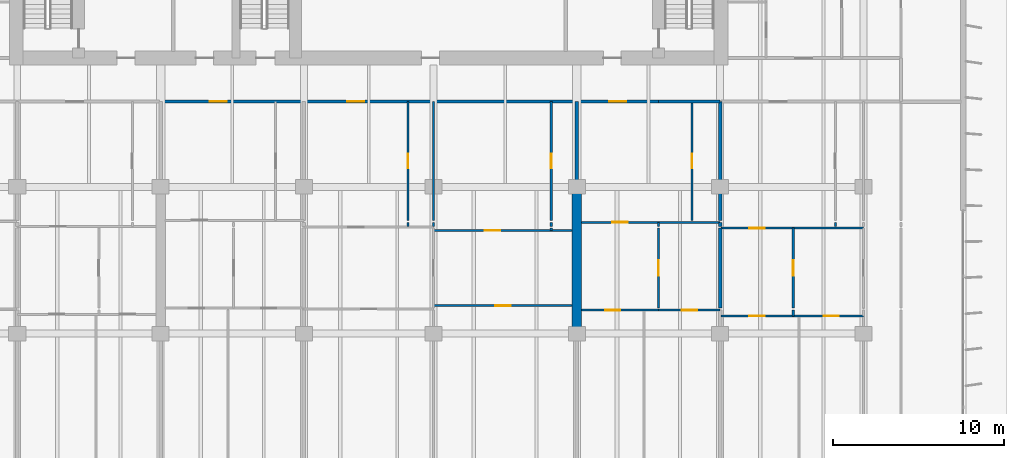
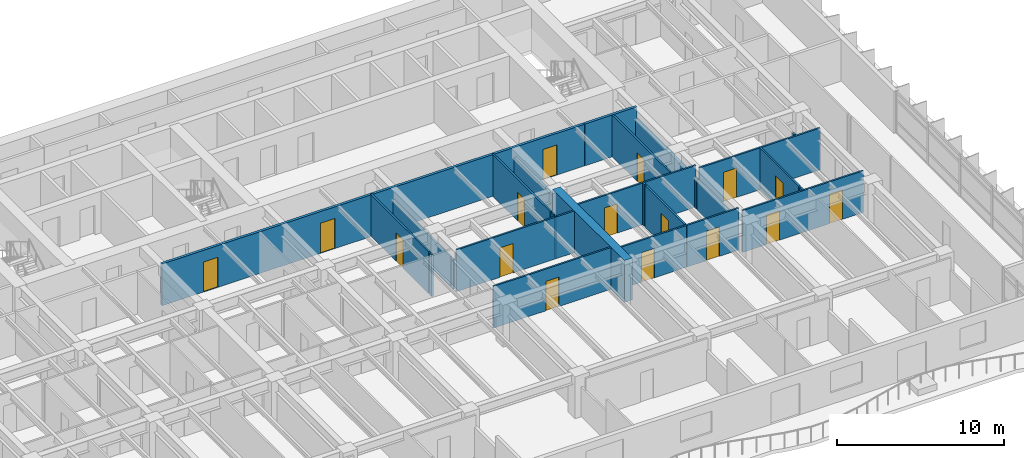
# One storey, part 9 of 17: 28 walls, 16 doors, 16 openings.
"""IFC4 building model written with IfcOpenShell, lengths in metres."""

from ifc_helpers import new_model, si_unit, direction, frame, frame_2d, origin, place, context, subcontext, project, spatial, rectangle, extrude, material, layer, layer_set, type_object, element, fill, save


model = new_model("IFC4")

# Units and contexts
model_context = context("Model", 3, precision=1e-05, world=origin(), true_north=direction((0.0, 1.0)))
body_context = subcontext(model_context, "Body", "Model", "MODEL_VIEW")
ifc_project = project(units=[si_unit("LENGTHUNIT", "METRE"), si_unit("AREAUNIT", "SQUARE_METRE"), si_unit("VOLUMEUNIT", "CUBIC_METRE"), si_unit("PLANEANGLEUNIT", "RADIAN"), si_unit("MASSUNIT", "GRAM", prefix="KILO")], contexts=[model_context])

# Site, building, storey
site_placement = place(None, origin())
site = spatial("IfcSite", under=ifc_project, at=site_placement, CompositionType="ELEMENT")
building_placement = place(site_placement, origin())
building = spatial("IfcBuilding", under=site, at=building_placement, Name="Caelmar Bay Residences", CompositionType="ELEMENT")
storey_placement = place(building_placement, frame((0.0, 0.0, 84.60009765625)))
storey = spatial("IfcBuildingStorey", under=building, at=storey_placement, Name="L22", CompositionType="ELEMENT", Elevation=84.60009765625)

# Wall
ifc_material_1 = material(Name="Concrete f'c 70 MPa (10,000 psi)", Category="concrete")
ifc_layer_1 = layer(ifc_material_1, 0.550048828125)
ifc_layer_set_1 = layer_set([ifc_layer_1], Name="Concrete f'c 70 MPa (10,000 psi)")
wall_type_1 = type_object("IfcWallType", Name="SW-XSLB-550", PredefinedType="SHEAR", material=ifc_layer_set_1)
wall_1_placement = place(storey_placement, frame((51.10009765625, 20.800048828125, 0.0), z_axis=(0.0, 0.0, 1.0), x_axis=(0.0, 1.0, 0.0)))
element("IfcWall", 1, at=wall_1_placement, inside=storey, type_object=wall_type_1, Name="L22 Transverse Cross-Slab Shear Wall E8", PredefinedType="SHEAR", context=body_context, shape_type="SweptSolid", body=[
    extrude(rectangle(XDim=8.599853515625, YDim=0.550048828125, at=frame_2d((4.2998046875, 0.0))), origin(), (0.0, 0.0, 1.0), 3.0498046875),
])

# Wall, openings, doors
ifc_material_2 = material(Name="Double-stud acoustic fire-rated gypsum partition 180 mm")
ifc_layer_2 = layer(ifc_material_2, 0.179931640625)
ifc_layer_set_2 = layer_set([ifc_layer_2], Name="Double-stud acoustic fire-rated gypsum partition 180 mm")
wall_type_2 = type_object("IfcWallType", Name="W-COR-200", PredefinedType="PARTITIONING", material=ifc_layer_set_2)
wall_2_placement = place(storey_placement, frame((26.699951171875, 34.39990234375, 0.0), z_axis=(0.0, 0.0, 1.0), x_axis=(1.0, 0.0, 0.0)))
wall_2 = element("IfcWall", 2, at=wall_2_placement, inside=storey, type_object=wall_type_2, Name="L22 Partition Wall H132", PredefinedType="PARTITIONING", context=body_context, shape_type="SweptSolid", body=[
    extrude(rectangle(XDim=29.18603515625, YDim=0.179931640625, at=frame_2d((14.593017578125, 0.0))), origin(), (0.0, 0.0, 1.0), 3.0498046875),
])
opening_1_placement = place(wall_2_placement, frame((2.875, 0.0, 0.0)))
opening_1 = element("IfcOpeningElement", 3, at=opening_1_placement, cuts=wall_2, Name="Opening D-L22-138", PredefinedType="OPENING", context=body_context, shape_type="SweptSolid", body=[
    extrude(rectangle(XDim=1.0, YDim=2.199951171875, at=frame_2d((0.5, 1.10009765625))), frame((0.0, 0.099853515625, 0.0), z_axis=(0.0, -1.0, 0.0), x_axis=(1.0, 0.0, 0.0)), (0.0, 0.0, 1.0), 0.199951171875),
])
opening_2_placement = place(wall_2_placement, frame((10.949951171875, 0.0, 0.0)))
opening_2 = element("IfcOpeningElement", 4, at=opening_2_placement, cuts=wall_2, Name="Opening D-L22-145", PredefinedType="OPENING", context=body_context, shape_type="SweptSolid", body=[
    extrude(rectangle(XDim=1.0, YDim=2.199951171875, at=frame_2d((0.5, 1.10009765625))), frame((0.0, 0.099853515625, 0.0), z_axis=(0.0, -1.0, 0.0), x_axis=(1.0, 0.0, 0.0)), (0.0, 0.0, 1.0), 0.199951171875),
])
opening_3_placement = place(wall_2_placement, frame((26.29296875, 0.0, 0.0)))
opening_3 = element("IfcOpeningElement", 5, at=opening_3_placement, cuts=wall_2, Name="Opening D-L22-154", PredefinedType="OPENING", context=body_context, shape_type="SweptSolid", body=[
    extrude(rectangle(XDim=1.0, YDim=2.199951171875, at=frame_2d((0.5, 1.10009765625))), frame((0.0, 0.099853515625, 0.0), z_axis=(0.0, -1.0, 0.0), x_axis=(1.0, 0.0, 0.0)), (0.0, 0.0, 1.0), 0.199951171875),
])
ifc_material_3 = material(Name="Fire-rated steel and walnut architectural door assembly", Category="steel")
ifc_layer_3 = layer(ifc_material_3, 0.050048828125)
ifc_layer_set_3 = layer_set([ifc_layer_3], Name="Fire-rated steel and walnut architectural door assembly")
door_type_1 = type_object("IfcDoorType", Name="D-UNIT-1000", OperationType="NOTDEFINED", PredefinedType="DOOR", material=ifc_layer_set_3)
door_1_placement = place(opening_1_placement, origin())
door_1 = element("IfcDoor", 6, at=door_1_placement, inside=storey, type_object=door_type_1, Name="L22 Residence 03 Apartment Hall Door", OperationType="SINGLE_SWING_LEFT", OverallHeight=2.199951171875, OverallWidth=1.0, PredefinedType="DOOR", context=body_context, shape_type="SweptSolid", body=[
    extrude(rectangle(XDim=1.0, YDim=2.199951171875, at=frame_2d((0.5, 1.10009765625))), frame((0.0, 0.02490234375, 0.0), z_axis=(0.0, -1.0, 0.0), x_axis=(1.0, 0.0, 0.0)), (0.0, 0.0, 1.0), 0.050048828125),
])
fill(opening_1, door_1)
door_2_placement = place(opening_2_placement, origin())
door_2 = element("IfcDoor", 7, at=door_2_placement, inside=storey, type_object=door_type_1, Name="L22 Residence 04 Apartment Hall Door", OperationType="SINGLE_SWING_RIGHT", OverallHeight=2.199951171875, OverallWidth=1.0, PredefinedType="DOOR", context=body_context, shape_type="SweptSolid", body=[
    extrude(rectangle(XDim=1.0, YDim=2.199951171875, at=frame_2d((0.5, 1.10009765625))), frame((0.0, 0.02490234375, 0.0), z_axis=(0.0, -1.0, 0.0), x_axis=(1.0, 0.0, 0.0)), (0.0, 0.0, 1.0), 0.050048828125),
])
fill(opening_2, door_2)
door_3_placement = place(opening_3_placement, origin())
door_3 = element("IfcDoor", 8, at=door_3_placement, inside=storey, type_object=door_type_1, Name="L22 Residence 05 Apartment Hall Door", OperationType="SINGLE_SWING_LEFT", OverallHeight=2.199951171875, OverallWidth=1.0, PredefinedType="DOOR", context=body_context, shape_type="SweptSolid", body=[
    extrude(rectangle(XDim=1.0, YDim=2.199951171875, at=frame_2d((0.5, 1.10009765625))), frame((0.0, 0.02490234375, 0.0), z_axis=(0.0, -1.0, 0.0), x_axis=(1.0, 0.0, 0.0)), (0.0, 0.0, 1.0), 0.050048828125),
])
fill(opening_3, door_3)

# Walls
wall_3_placement = place(storey_placement, frame((55.89990234375, 34.39990234375, 0.0), z_axis=(0.0, 0.0, 1.0), x_axis=(1.0, 0.0, 0.0)))
element("IfcWall", 9, at=wall_3_placement, inside=storey, type_object=wall_type_2, Name="L22 Partition Wall H133", PredefinedType="PARTITIONING", context=body_context, shape_type="SweptSolid", body=[
    extrude(rectangle(XDim=3.60009765625, YDim=0.179931640625, at=frame_2d((1.800048828125, 0.0))), origin(), (0.0, 0.0, 1.0), 3.0498046875),
])
ifc_material_4 = material(Name="Acoustic metal-stud gypsum partition 120 mm")
ifc_layer_4 = layer(ifc_material_4, 0.1201171875)
ifc_layer_set_4 = layer_set([ifc_layer_4], Name="Acoustic metal-stud gypsum partition 120 mm")
wall_type_3 = type_object("IfcWallType", Name="W-PRT-120", PredefinedType="PARTITIONING", material=ifc_layer_set_4)
wall_4_placement = place(storey_placement, frame((41.199951171875, 27.080078125, 0.0), z_axis=(0.0, 0.0, 1.0), x_axis=(0.0, 1.0, 0.0)))
element("IfcWall", 10, at=wall_4_placement, inside=storey, type_object=wall_type_3, Name="L22 Partition Wall V053", PredefinedType="PARTITIONING", context=body_context, shape_type="SweptSolid", body=[
    extrude(rectangle(XDim=0.239990234375, YDim=0.1201171875, at=frame_2d((0.1201171875, 0.0))), origin(), (0.0, 0.0, 1.0), 3.0498046875),
])

# Wall, opening, door
wall_5_placement = place(storey_placement, frame((41.199951171875, 27.43994140625, 0.0), z_axis=(0.0, 0.0, 1.0), x_axis=(0.0, 1.0, 0.0)))
wall_5 = element("IfcWall", 11, at=wall_5_placement, inside=storey, type_object=wall_type_3, Name="L22 Partition Wall V054", PredefinedType="PARTITIONING", context=body_context, shape_type="SweptSolid", body=[
    extrude(rectangle(XDim=6.9599609375, YDim=0.1201171875, at=frame_2d((3.47998046875, 0.0))), origin(), (0.0, 0.0, 1.0), 3.0498046875),
])
opening_4_placement = place(wall_5_placement, frame((3.054931640625, 0.0, 0.0)))
opening_4 = element("IfcOpeningElement", 12, at=opening_4_placement, cuts=wall_5, Name="Opening D-L22-146", PredefinedType="OPENING", context=body_context, shape_type="SweptSolid", body=[
    extrude(rectangle(XDim=0.85009765625, YDim=2.10009765625, at=frame_2d((0.425048828125, 1.050048828125))), frame((0.0, 0.070068359375, 0.0), z_axis=(0.0, -1.0, 0.0), x_axis=(1.0, 0.0, 0.0)), (0.0, 0.0, 1.0), 0.14013671875),
])
ifc_material_5 = material(Name="Solid walnut timber interior door leaf and frame", Category="wood")
ifc_layer_5 = layer(ifc_material_5, 0.050048828125)
ifc_layer_set_5 = layer_set([ifc_layer_5], Name="Solid walnut timber interior door leaf and frame")
door_type_2 = type_object("IfcDoorType", Name="D-BATH-850", OperationType="NOTDEFINED", PredefinedType="DOOR", material=ifc_layer_set_5)
door_4_placement = place(opening_4_placement, origin())
door_4 = element("IfcDoor", 13, at=door_4_placement, inside=storey, type_object=door_type_2, Name="L22 Residence 04 Guest Bathroom Door", OperationType="SINGLE_SWING_LEFT", OverallHeight=2.10009765625, OverallWidth=0.85009765625, PredefinedType="DOOR", context=body_context, shape_type="SweptSolid", body=[
    extrude(rectangle(XDim=0.85009765625, YDim=2.10009765625, at=frame_2d((0.425048828125, 1.050048828125))), frame((0.0, 0.02490234375, 0.0), z_axis=(0.0, -1.0, 0.0), x_axis=(1.0, 0.0, 0.0)), (0.0, 0.0, 1.0), 0.050048828125),
])
fill(opening_4, door_4)

# Walls
wall_6_placement = place(storey_placement, frame((42.699951171875, 27.080078125, 0.0), z_axis=(0.0, 0.0, 1.0), x_axis=(0.0, 1.0, 0.0)))
element("IfcWall", 14, at=wall_6_placement, inside=storey, type_object=wall_type_3, Name="L22 Partition Wall V058", PredefinedType="PARTITIONING", context=body_context, shape_type="SweptSolid", body=[
    extrude(rectangle(XDim=0.239990234375, YDim=0.1201171875, at=frame_2d((0.1201171875, 0.0))), origin(), (0.0, 0.0, 1.0), 2.173828125),
])
wall_7_placement = place(storey_placement, frame((42.699951171875, 27.43994140625, 0.0), z_axis=(0.0, 0.0, 1.0), x_axis=(0.0, 1.0, 0.0)))
element("IfcWall", 15, at=wall_7_placement, inside=storey, type_object=wall_type_3, Name="L22 Partition Wall V059", PredefinedType="PARTITIONING", context=body_context, shape_type="SweptSolid", body=[
    extrude(rectangle(XDim=6.9599609375, YDim=0.1201171875, at=frame_2d((3.47998046875, 0.0))), origin(), (0.0, 0.0, 1.0), 2.173828125),
])
wall_8_placement = place(storey_placement, frame((49.60009765625, 26.840087890625, 0.0), z_axis=(0.0, 0.0, 1.0), x_axis=(0.0, 1.0, 0.0)))
element("IfcWall", 16, at=wall_8_placement, inside=storey, type_object=wall_type_3, Name="L22 Partition Wall V064", PredefinedType="PARTITIONING", context=body_context, shape_type="SweptSolid", body=[
    extrude(rectangle(XDim=0.139892578125, YDim=0.1201171875, at=frame_2d((0.06982421875, 0.0))), origin(), (0.0, 0.0, 1.0), 3.0498046875),
])
wall_9_placement = place(storey_placement, frame((49.60009765625, 27.080078125, 0.0), z_axis=(0.0, 0.0, 1.0), x_axis=(0.0, 1.0, 0.0)))
element("IfcWall", 17, at=wall_9_placement, inside=storey, type_object=wall_type_3, Name="L22 Partition Wall V065", PredefinedType="PARTITIONING", context=body_context, shape_type="SweptSolid", body=[
    extrude(rectangle(XDim=0.239990234375, YDim=0.1201171875, at=frame_2d((0.1201171875, 0.0))), origin(), (0.0, 0.0, 1.0), 3.0498046875),
])

# Wall, opening, door
wall_10_placement = place(storey_placement, frame((49.60009765625, 27.43994140625, 0.0), z_axis=(0.0, 0.0, 1.0), x_axis=(0.0, 1.0, 0.0)))
wall_10 = element("IfcWall", 18, at=wall_10_placement, inside=storey, type_object=wall_type_3, Name="L22 Partition Wall V066", PredefinedType="PARTITIONING", context=body_context, shape_type="SweptSolid", body=[
    extrude(rectangle(XDim=6.9599609375, YDim=0.1201171875, at=frame_2d((3.47998046875, 0.0))), origin(), (0.0, 0.0, 1.0), 3.0498046875),
])
opening_5_placement = place(wall_10_placement, frame((3.054931640625, 0.0, 0.0)))
opening_5 = element("IfcOpeningElement", 19, at=opening_5_placement, cuts=wall_10, Name="Opening D-L22-151", PredefinedType="OPENING", context=body_context, shape_type="SweptSolid", body=[
    extrude(rectangle(XDim=0.85009765625, YDim=2.10009765625, at=frame_2d((0.425048828125, 1.050048828125))), frame((0.0, 0.070068359375, 0.0), z_axis=(0.0, -1.0, 0.0), x_axis=(1.0, 0.0, 0.0)), (0.0, 0.0, 1.0), 0.14013671875),
])
door_5_placement = place(opening_5_placement, origin())
door_5 = element("IfcDoor", 20, at=door_5_placement, inside=storey, type_object=door_type_2, Name="L22 Residence 04 En-Suite Bathroom 1 Door", OperationType="SINGLE_SWING_RIGHT", OverallHeight=2.10009765625, OverallWidth=0.85009765625, PredefinedType="DOOR", context=body_context, shape_type="SweptSolid", body=[
    extrude(rectangle(XDim=0.85009765625, YDim=2.10009765625, at=frame_2d((0.425048828125, 1.050048828125))), frame((0.0, 0.02490234375, 0.0), z_axis=(0.0, -1.0, 0.0), x_axis=(1.0, 0.0, 0.0)), (0.0, 0.0, 1.0), 0.050048828125),
])
fill(opening_5, door_5)

wall_11_placement = place(storey_placement, frame((55.885986328125, 22.2900390625, 0.0), z_axis=(0.0, 0.0, 1.0), x_axis=(0.0, 1.0, 0.0)))
wall_11 = element("IfcWall", 21, at=wall_11_placement, inside=storey, type_object=wall_type_3, Name="L22 Partition Wall V076", PredefinedType="PARTITIONING", context=body_context, shape_type="SweptSolid", body=[
    extrude(rectangle(XDim=4.68994140625, YDim=0.1201171875, at=frame_2d((2.344970703125, 0.0))), origin(), (0.0, 0.0, 1.0), 3.0498046875),
])
opening_6_placement = place(wall_11_placement, frame((1.89501953125, 0.0, 0.0)))
opening_6 = element("IfcOpeningElement", 22, at=opening_6_placement, cuts=wall_11, Name="Opening D-L22-157", PredefinedType="OPENING", context=body_context, shape_type="SweptSolid", body=[
    extrude(rectangle(XDim=0.89990234375, YDim=2.14990234375, at=frame_2d((0.449951171875, 1.074951171875))), frame((0.0, 0.070068359375, 0.0), z_axis=(0.0, -1.0, 0.0), x_axis=(1.0, 0.0, 0.0)), (0.0, 0.0, 1.0), 0.14013671875),
])
ifc_layer_6 = layer(ifc_material_5, 0.050048828125)
ifc_layer_set_6 = layer_set([ifc_layer_6], Name="Solid walnut timber interior door leaf and frame")
door_type_3 = type_object("IfcDoorType", Name="D-ROOM-900", OperationType="NOTDEFINED", PredefinedType="DOOR", material=ifc_layer_set_6)
door_6_placement = place(opening_6_placement, origin())
door_6 = element("IfcDoor", 23, at=door_6_placement, inside=storey, type_object=door_type_3, Name="L22 Residence 05 Study Door", OperationType="SINGLE_SWING_RIGHT", OverallHeight=2.14990234375, OverallWidth=0.89990234375, PredefinedType="DOOR", context=body_context, shape_type="SweptSolid", body=[
    extrude(rectangle(XDim=0.89990234375, YDim=2.14990234375, at=frame_2d((0.449951171875, 1.074951171875))), frame((0.0, 0.02490234375, 0.0), z_axis=(0.0, -1.0, 0.0), x_axis=(1.0, 0.0, 0.0)), (0.0, 0.0, 1.0), 0.050048828125),
])
fill(opening_6, door_6)

# Wall
wall_12_placement = place(storey_placement, frame((55.885986328125, 27.080078125, 0.0), z_axis=(0.0, 0.0, 1.0), x_axis=(0.0, 1.0, 0.0)))
element("IfcWall", 24, at=wall_12_placement, inside=storey, type_object=wall_type_3, Name="L22 Partition Wall V077", PredefinedType="PARTITIONING", context=body_context, shape_type="SweptSolid", body=[
    extrude(rectangle(XDim=0.239990234375, YDim=0.1201171875, at=frame_2d((0.1201171875, 0.0))), origin(), (0.0, 0.0, 1.0), 3.0498046875),
])

# Wall, opening, door
wall_13_placement = place(storey_placement, frame((57.85009765625, 27.43994140625, 0.0), z_axis=(0.0, 0.0, 1.0), x_axis=(0.0, 1.0, 0.0)))
wall_13 = element("IfcWall", 25, at=wall_13_placement, inside=storey, type_object=wall_type_3, Name="L22 Partition Wall V079", PredefinedType="PARTITIONING", context=body_context, shape_type="SweptSolid", body=[
    extrude(rectangle(XDim=6.9599609375, YDim=0.1201171875, at=frame_2d((3.47998046875, 0.0))), origin(), (0.0, 0.0, 1.0), 3.0498046875),
])
opening_7_placement = place(wall_13_placement, frame((3.054931640625, 0.0, 0.0)))
opening_7 = element("IfcOpeningElement", 26, at=opening_7_placement, cuts=wall_13, Name="Opening D-L22-155", PredefinedType="OPENING", context=body_context, shape_type="SweptSolid", body=[
    extrude(rectangle(XDim=0.85009765625, YDim=2.10009765625, at=frame_2d((0.425048828125, 1.050048828125))), frame((0.0, 0.070068359375, 0.0), z_axis=(0.0, -1.0, 0.0), x_axis=(1.0, 0.0, 0.0)), (0.0, 0.0, 1.0), 0.14013671875),
])
door_7_placement = place(opening_7_placement, origin())
door_7 = element("IfcDoor", 27, at=door_7_placement, inside=storey, type_object=door_type_2, Name="L22 Residence 05 Bathroom Door", OperationType="SINGLE_SWING_RIGHT", OverallHeight=2.10009765625, OverallWidth=0.85009765625, PredefinedType="DOOR", context=body_context, shape_type="SweptSolid", body=[
    extrude(rectangle(XDim=0.85009765625, YDim=2.10009765625, at=frame_2d((0.425048828125, 1.050048828125))), frame((0.0, 0.02490234375, 0.0), z_axis=(0.0, -1.0, 0.0), x_axis=(1.0, 0.0, 0.0)), (0.0, 0.0, 1.0), 0.050048828125),
])
fill(opening_7, door_7)

# Wall
wall_14_placement = place(storey_placement, frame((63.785888671875, 21.830078125, 0.0), z_axis=(0.0, 0.0, 1.0), x_axis=(0.0, 1.0, 0.0)))
element("IfcWall", 28, at=wall_14_placement, inside=storey, type_object=wall_type_3, Name="L22 Partition Wall V086", PredefinedType="PARTITIONING", context=body_context, shape_type="SweptSolid", body=[
    extrude(rectangle(XDim=0.33984375, YDim=0.1201171875, at=frame_2d((0.169921875, 0.0))), origin(), (0.0, 0.0, 1.0), 3.0498046875),
])

# Wall, opening, door
wall_15_placement = place(storey_placement, frame((63.785888671875, 22.2900390625, 0.0), z_axis=(0.0, 0.0, 1.0), x_axis=(0.0, 1.0, 0.0)))
wall_15 = element("IfcWall", 29, at=wall_15_placement, inside=storey, type_object=wall_type_3, Name="L22 Partition Wall V087", PredefinedType="PARTITIONING", context=body_context, shape_type="SweptSolid", body=[
    extrude(rectangle(XDim=4.68994140625, YDim=0.1201171875, at=frame_2d((2.344970703125, 0.0))), origin(), (0.0, 0.0, 1.0), 3.0498046875),
])
opening_8_placement = place(wall_15_placement, frame((1.89501953125, 0.0, 0.0)))
opening_8 = element("IfcOpeningElement", 30, at=opening_8_placement, cuts=wall_15, Name="Opening D-L22-164", PredefinedType="OPENING", context=body_context, shape_type="SweptSolid", body=[
    extrude(rectangle(XDim=0.89990234375, YDim=2.14990234375, at=frame_2d((0.449951171875, 1.074951171875))), frame((0.0, 0.070068359375, 0.0), z_axis=(0.0, -1.0, 0.0), x_axis=(1.0, 0.0, 0.0)), (0.0, 0.0, 1.0), 0.14013671875),
])
door_8_placement = place(opening_8_placement, origin())
door_8 = element("IfcDoor", 31, at=door_8_placement, inside=storey, type_object=door_type_3, Name="L22 Residence 06 Study Door", OperationType="SINGLE_SWING_LEFT", OverallHeight=2.14990234375, OverallWidth=0.89990234375, PredefinedType="DOOR", context=body_context, shape_type="SweptSolid", body=[
    extrude(rectangle(XDim=0.89990234375, YDim=2.14990234375, at=frame_2d((0.449951171875, 1.074951171875))), frame((0.0, 0.02490234375, 0.0), z_axis=(0.0, -1.0, 0.0), x_axis=(1.0, 0.0, 0.0)), (0.0, 0.0, 1.0), 0.050048828125),
])
fill(opening_8, door_8)

# Wall
wall_16_placement = place(storey_placement, frame((66.25, 27.080078125, 0.0), z_axis=(0.0, 0.0, 1.0), x_axis=(0.0, 1.0, 0.0)))
element("IfcWall", 32, at=wall_16_placement, inside=storey, type_object=wall_type_3, Name="L22 Partition Wall V090", PredefinedType="PARTITIONING", context=body_context, shape_type="SweptSolid", body=[
    extrude(rectangle(XDim=0.239990234375, YDim=0.1201171875, at=frame_2d((0.1201171875, 0.0))), origin(), (0.0, 0.0, 1.0), 3.0498046875),
])

# Wall, openings, doors
wall_17_placement = place(storey_placement, frame((59.550048828125, 21.830078125, 0.0), z_axis=(0.0, 0.0, 1.0), x_axis=(1.0, 0.0, 0.0)))
wall_17 = element("IfcWall", 33, at=wall_17_placement, inside=storey, type_object=wall_type_3, Name="L22 Partition Wall H113", PredefinedType="PARTITIONING", context=body_context, shape_type="SweptSolid", body=[
    extrude(rectangle(XDim=8.349853515625, YDim=0.1201171875, at=frame_2d((4.1748046875, 0.0))), origin(), (0.0, 0.0, 1.0), 3.0498046875),
])
opening_9_placement = place(wall_17_placement, frame((1.66796875, 0.0, 0.0)))
opening_9 = element("IfcOpeningElement", 34, at=opening_9_placement, cuts=wall_17, Name="Opening D-L22-165", PredefinedType="OPENING", context=body_context, shape_type="SweptSolid", body=[
    extrude(rectangle(XDim=0.89990234375, YDim=2.14990234375, at=frame_2d((0.449951171875, 1.074951171875))), frame((0.0, 0.070068359375, 0.0), z_axis=(0.0, -1.0, 0.0), x_axis=(1.0, 0.0, 0.0)), (0.0, 0.0, 1.0), 0.14013671875),
])
opening_10_placement = place(wall_17_placement, frame((6.010009765625, 0.0, 0.0)))
opening_10 = element("IfcOpeningElement", 35, at=opening_10_placement, cuts=wall_17, Name="Opening D-L22-166", PredefinedType="OPENING", context=body_context, shape_type="SweptSolid", body=[
    extrude(rectangle(XDim=0.89990234375, YDim=2.14990234375, at=frame_2d((0.449951171875, 1.074951171875))), frame((0.0, 0.070068359375, 0.0), z_axis=(0.0, -1.0, 0.0), x_axis=(1.0, 0.0, 0.0)), (0.0, 0.0, 1.0), 0.14013671875),
])
door_9_placement = place(opening_9_placement, origin())
door_9 = element("IfcDoor", 36, at=door_9_placement, inside=storey, type_object=door_type_3, Name="L22 Residence 06 Living Room Door", OperationType="SINGLE_SWING_RIGHT", OverallHeight=2.14990234375, OverallWidth=0.89990234375, PredefinedType="DOOR", context=body_context, shape_type="SweptSolid", body=[
    extrude(rectangle(XDim=0.89990234375, YDim=2.14990234375, at=frame_2d((0.449951171875, 1.074951171875))), frame((0.0, 0.02490234375, 0.0), z_axis=(0.0, -1.0, 0.0), x_axis=(1.0, 0.0, 0.0)), (0.0, 0.0, 1.0), 0.050048828125),
])
fill(opening_9, door_9)
door_10_placement = place(opening_10_placement, origin())
door_10 = element("IfcDoor", 37, at=door_10_placement, inside=storey, type_object=door_type_3, Name="L22 Residence 06 Penthouse Sitting Room Door", OperationType="SINGLE_SWING_LEFT", OverallHeight=2.14990234375, OverallWidth=0.89990234375, PredefinedType="DOOR", context=body_context, shape_type="SweptSolid", body=[
    extrude(rectangle(XDim=0.89990234375, YDim=2.14990234375, at=frame_2d((0.449951171875, 1.074951171875))), frame((0.0, 0.02490234375, 0.0), z_axis=(0.0, -1.0, 0.0), x_axis=(1.0, 0.0, 0.0)), (0.0, 0.0, 1.0), 0.050048828125),
])
fill(opening_10, door_10)

# Wall, opening, door
wall_18_placement = place(storey_placement, frame((51.3701171875, 22.169921875, 0.0), z_axis=(0.0, 0.0, 1.0), x_axis=(1.0, 0.0, 0.0)))
wall_18 = element("IfcWall", 38, at=wall_18_placement, inside=storey, type_object=wall_type_3, Name="L22 Partition Wall H115", PredefinedType="PARTITIONING", context=body_context, shape_type="SweptSolid", body=[
    extrude(rectangle(XDim=4.515869140625, YDim=0.1201171875, at=frame_2d((2.2578125, 0.0))), origin(), (0.0, 0.0, 1.0), 3.0498046875),
])
opening_11_placement = place(wall_18_placement, frame((1.388916015625, 0.0, 0.0)))
opening_11 = element("IfcOpeningElement", 39, at=opening_11_placement, cuts=wall_18, Name="Opening D-L22-158", PredefinedType="OPENING", context=body_context, shape_type="SweptSolid", body=[
    extrude(rectangle(XDim=0.89990234375, YDim=2.14990234375, at=frame_2d((0.449951171875, 1.074951171875))), frame((0.0, 0.070068359375, 0.0), z_axis=(0.0, -1.0, 0.0), x_axis=(1.0, 0.0, 0.0)), (0.0, 0.0, 1.0), 0.14013671875),
])
door_11_placement = place(opening_11_placement, origin())
door_11 = element("IfcDoor", 40, at=door_11_placement, inside=storey, type_object=door_type_3, Name="L22 Residence 05 Living Room Door", OperationType="SINGLE_SWING_LEFT", OverallHeight=2.14990234375, OverallWidth=0.89990234375, PredefinedType="DOOR", context=body_context, shape_type="SweptSolid", body=[
    extrude(rectangle(XDim=0.89990234375, YDim=2.14990234375, at=frame_2d((0.449951171875, 1.074951171875))), frame((0.0, 0.02490234375, 0.0), z_axis=(0.0, -1.0, 0.0), x_axis=(1.0, 0.0, 0.0)), (0.0, 0.0, 1.0), 0.050048828125),
])
fill(opening_11, door_11)

wall_19_placement = place(storey_placement, frame((55.89990234375, 22.169921875, 0.0), z_axis=(0.0, 0.0, 1.0), x_axis=(1.0, 0.0, 0.0)))
wall_19 = element("IfcWall", 41, at=wall_19_placement, inside=storey, type_object=wall_type_3, Name="L22 Partition Wall H116", PredefinedType="PARTITIONING", context=body_context, shape_type="SweptSolid", body=[
    extrude(rectangle(XDim=3.60009765625, YDim=0.1201171875, at=frame_2d((1.800048828125, 0.0))), origin(), (0.0, 0.0, 1.0), 3.0498046875),
])
opening_12_placement = place(wall_19_placement, frame((1.35009765625, 0.0, 0.0)))
opening_12 = element("IfcOpeningElement", 42, at=opening_12_placement, cuts=wall_19, Name="Opening D-L22-159", PredefinedType="OPENING", context=body_context, shape_type="SweptSolid", body=[
    extrude(rectangle(XDim=0.89990234375, YDim=2.14990234375, at=frame_2d((0.449951171875, 1.074951171875))), frame((0.0, 0.070068359375, 0.0), z_axis=(0.0, -1.0, 0.0), x_axis=(1.0, 0.0, 0.0)), (0.0, 0.0, 1.0), 0.14013671875),
])
door_12_placement = place(opening_12_placement, origin())
door_12 = element("IfcDoor", 43, at=door_12_placement, inside=storey, type_object=door_type_3, Name="L22 Residence 05 Penthouse Sitting Room Door", OperationType="SINGLE_SWING_RIGHT", OverallHeight=2.14990234375, OverallWidth=0.89990234375, PredefinedType="DOOR", context=body_context, shape_type="SweptSolid", body=[
    extrude(rectangle(XDim=0.89990234375, YDim=2.14990234375, at=frame_2d((0.449951171875, 1.074951171875))), frame((0.0, 0.02490234375, 0.0), z_axis=(0.0, -1.0, 0.0), x_axis=(1.0, 0.0, 0.0)), (0.0, 0.0, 1.0), 0.050048828125),
])
fill(opening_12, door_12)

wall_20_placement = place(storey_placement, frame((42.699951171875, 22.43994140625, 0.0), z_axis=(0.0, 0.0, 1.0), x_axis=(1.0, 0.0, 0.0)))
wall_20 = element("IfcWall", 44, at=wall_20_placement, inside=storey, type_object=wall_type_3, Name="L22 Partition Wall H120", PredefinedType="PARTITIONING", context=body_context, shape_type="SweptSolid", body=[
    extrude(rectangle(XDim=8.130126953125, YDim=0.1201171875, at=frame_2d((4.06494140625, 0.0))), origin(), (0.0, 0.0, 1.0), 3.0498046875),
])
opening_13_placement = place(wall_20_placement, frame((3.614990234375, 0.0, 0.0)))
opening_13 = element("IfcOpeningElement", 45, at=opening_13_placement, cuts=wall_20, Name="Opening D-L22-152", PredefinedType="OPENING", context=body_context, shape_type="SweptSolid", body=[
    extrude(rectangle(XDim=0.89990234375, YDim=2.14990234375, at=frame_2d((0.449951171875, 1.074951171875))), frame((0.0, 0.070068359375, 0.0), z_axis=(0.0, -1.0, 0.0), x_axis=(1.0, 0.0, 0.0)), (0.0, 0.0, 1.0), 0.14013671875),
])
door_13_placement = place(opening_13_placement, origin())
door_13 = element("IfcDoor", 46, at=door_13_placement, inside=storey, type_object=door_type_3, Name="L22 Residence 04 Penthouse Sitting Salon 1 Door", OperationType="SINGLE_SWING_LEFT", OverallHeight=2.14990234375, OverallWidth=0.89990234375, PredefinedType="DOOR", context=body_context, shape_type="SweptSolid", body=[
    extrude(rectangle(XDim=0.89990234375, YDim=2.14990234375, at=frame_2d((0.449951171875, 1.074951171875))), frame((0.0, 0.02490234375, 0.0), z_axis=(0.0, -1.0, 0.0), x_axis=(1.0, 0.0, 0.0)), (0.0, 0.0, 1.0), 0.050048828125),
])
fill(opening_13, door_13)

wall_21_placement = place(storey_placement, frame((42.699951171875, 26.840087890625, 0.0), z_axis=(0.0, 0.0, 1.0), x_axis=(1.0, 0.0, 0.0)))
wall_21 = element("IfcWall", 47, at=wall_21_placement, inside=storey, type_object=wall_type_3, Name="L22 Partition Wall H121", PredefinedType="PARTITIONING", context=body_context, shape_type="SweptSolid", body=[
    extrude(rectangle(XDim=8.130126953125, YDim=0.1201171875, at=frame_2d((4.06494140625, 0.0))), origin(), (0.0, 0.0, 1.0), 3.0498046875),
])
opening_14_placement = place(wall_21_placement, frame((3.0, 0.0, 0.0)))
opening_14 = element("IfcOpeningElement", 48, at=opening_14_placement, cuts=wall_21, Name="Opening D-L22-150", PredefinedType="OPENING", context=body_context, shape_type="SweptSolid", body=[
    extrude(rectangle(XDim=0.89990234375, YDim=2.14990234375, at=frame_2d((0.449951171875, 1.074951171875))), frame((0.0, 0.070068359375, 0.0), z_axis=(0.0, -1.0, 0.0), x_axis=(1.0, 0.0, 0.0)), (0.0, 0.0, 1.0), 0.14013671875),
])
door_14_placement = place(opening_14_placement, origin())
door_14 = element("IfcDoor", 49, at=door_14_placement, inside=storey, type_object=door_type_3, Name="L22 Residence 04 Sitting Room 1 Door", OperationType="SINGLE_SWING_LEFT", OverallHeight=2.14990234375, OverallWidth=0.89990234375, PredefinedType="DOOR", context=body_context, shape_type="SweptSolid", body=[
    extrude(rectangle(XDim=0.89990234375, YDim=2.14990234375, at=frame_2d((0.449951171875, 1.074951171875))), frame((0.0, 0.02490234375, 0.0), z_axis=(0.0, -1.0, 0.0), x_axis=(1.0, 0.0, 0.0)), (0.0, 0.0, 1.0), 0.050048828125),
])
fill(opening_14, door_14)

wall_22_placement = place(storey_placement, frame((59.550048828125, 26.97998046875, 0.0), z_axis=(0.0, 0.0, 1.0), x_axis=(1.0, 0.0, 0.0)))
wall_22 = element("IfcWall", 50, at=wall_22_placement, inside=storey, type_object=wall_type_3, Name="L22 Partition Wall H122", PredefinedType="PARTITIONING", context=body_context, shape_type="SweptSolid", body=[
    extrude(rectangle(XDim=8.349853515625, YDim=0.1201171875, at=frame_2d((4.1748046875, 0.0))), origin(), (0.0, 0.0, 1.0), 3.0498046875),
])
opening_15_placement = place(wall_22_placement, frame((1.66796875, 0.0, 0.0)))
opening_15 = element("IfcOpeningElement", 51, at=opening_15_placement, cuts=wall_22, Name="Opening D-L22-163", PredefinedType="OPENING", context=body_context, shape_type="SweptSolid", body=[
    extrude(rectangle(XDim=0.89990234375, YDim=2.14990234375, at=frame_2d((0.449951171875, 1.074951171875))), frame((0.0, 0.070068359375, 0.0), z_axis=(0.0, -1.0, 0.0), x_axis=(1.0, 0.0, 0.0)), (0.0, 0.0, 1.0), 0.14013671875),
])
door_15_placement = place(opening_15_placement, origin())
door_15 = element("IfcDoor", 52, at=door_15_placement, inside=storey, type_object=door_type_3, Name="L22 Residence 06 Kitchen Door", OperationType="SINGLE_SWING_RIGHT", OverallHeight=2.14990234375, OverallWidth=0.89990234375, PredefinedType="DOOR", context=body_context, shape_type="SweptSolid", body=[
    extrude(rectangle(XDim=0.89990234375, YDim=2.14990234375, at=frame_2d((0.449951171875, 1.074951171875))), frame((0.0, 0.02490234375, 0.0), z_axis=(0.0, -1.0, 0.0), x_axis=(1.0, 0.0, 0.0)), (0.0, 0.0, 1.0), 0.050048828125),
])
fill(opening_15, door_15)

wall_23_placement = place(storey_placement, frame((51.3701171875, 27.320068359375, 0.0), z_axis=(0.0, 0.0, 1.0), x_axis=(1.0, 0.0, 0.0)))
wall_23 = element("IfcWall", 53, at=wall_23_placement, inside=storey, type_object=wall_type_3, Name="L22 Partition Wall H125", PredefinedType="PARTITIONING", context=body_context, shape_type="SweptSolid", body=[
    extrude(rectangle(XDim=4.515869140625, YDim=0.1201171875, at=frame_2d((2.2578125, 0.0))), origin(), (0.0, 0.0, 1.0), 3.0498046875),
])
opening_16_placement = place(wall_23_placement, frame((1.80810546875, 0.0, 0.0)))
opening_16 = element("IfcOpeningElement", 54, at=opening_16_placement, cuts=wall_23, Name="Opening D-L22-156", PredefinedType="OPENING", context=body_context, shape_type="SweptSolid", body=[
    extrude(rectangle(XDim=0.89990234375, YDim=2.14990234375, at=frame_2d((0.449951171875, 1.074951171875))), frame((0.0, 0.070068359375, 0.0), z_axis=(0.0, -1.0, 0.0), x_axis=(1.0, 0.0, 0.0)), (0.0, 0.0, 1.0), 0.14013671875),
])
door_16_placement = place(opening_16_placement, origin())
door_16 = element("IfcDoor", 55, at=door_16_placement, inside=storey, type_object=door_type_3, Name="L22 Residence 05 Kitchen Door", OperationType="SINGLE_SWING_LEFT", OverallHeight=2.14990234375, OverallWidth=0.89990234375, PredefinedType="DOOR", context=body_context, shape_type="SweptSolid", body=[
    extrude(rectangle(XDim=0.89990234375, YDim=2.14990234375, at=frame_2d((0.449951171875, 1.074951171875))), frame((0.0, 0.02490234375, 0.0), z_axis=(0.0, -1.0, 0.0), x_axis=(1.0, 0.0, 0.0)), (0.0, 0.0, 1.0), 0.050048828125),
])
fill(opening_16, door_16)

# Walls
wall_24_placement = place(storey_placement, frame((55.89990234375, 27.320068359375, 0.0), z_axis=(0.0, 0.0, 1.0), x_axis=(1.0, 0.0, 0.0)))
element("IfcWall", 56, at=wall_24_placement, inside=storey, type_object=wall_type_3, Name="L22 Partition Wall H126", PredefinedType="PARTITIONING", context=body_context, shape_type="SweptSolid", body=[
    extrude(rectangle(XDim=3.60009765625, YDim=0.1201171875, at=frame_2d((1.800048828125, 0.0))), origin(), (0.0, 0.0, 1.0), 3.0498046875),
])
ifc_material_6 = material(Name="Acoustic twin-stud fire-rated inter-tenancy partition 200 mm")
ifc_layer_7 = layer(ifc_material_6, 0.199951171875)
ifc_layer_set_7 = layer_set([ifc_layer_7], Name="Acoustic twin-stud fire-rated inter-tenancy partition 200 mm")
wall_type_4 = type_object("IfcWallType", Name="W-PTY-200", PredefinedType="PARTITIONING", material=ifc_layer_set_7)
wall_25_placement = place(storey_placement, frame((51.10009765625, 29.405029296875, 0.0), z_axis=(0.0, 0.0, 1.0), x_axis=(0.0, 1.0, 0.0)))
element("IfcWall", 57, at=wall_25_placement, inside=storey, type_object=wall_type_4, Name="L22 Partition Wall V071", PredefinedType="PARTITIONING", context=body_context, shape_type="SweptSolid", body=[
    extrude(rectangle(XDim=4.994873046875, YDim=0.199951171875, at=frame_2d((2.49755859375, 0.0))), origin(), (0.0, 0.0, 1.0), 2.3349609375),
])
wall_26_placement = place(storey_placement, frame((59.5, 22.2900390625, 0.0), z_axis=(0.0, 0.0, 1.0), x_axis=(0.0, 1.0, 0.0)))
element("IfcWall", 58, at=wall_26_placement, inside=storey, type_object=wall_type_4, Name="L22 Partition Wall V082", PredefinedType="PARTITIONING", context=body_context, shape_type="SweptSolid", body=[
    extrude(rectangle(XDim=4.68994140625, YDim=0.199951171875, at=frame_2d((2.344970703125, 0.0))), origin(), (0.0, 0.0, 1.0), 2.173828125),
])
wall_27_placement = place(storey_placement, frame((59.5, 27.080078125, 0.0), z_axis=(0.0, 0.0, 1.0), x_axis=(0.0, 1.0, 0.0)))
element("IfcWall", 59, at=wall_27_placement, inside=storey, type_object=wall_type_4, Name="L22 Partition Wall V083", PredefinedType="PARTITIONING", context=body_context, shape_type="SweptSolid", body=[
    extrude(rectangle(XDim=0.239990234375, YDim=0.199951171875, at=frame_2d((0.1201171875, 0.0))), origin(), (0.0, 0.0, 1.0), 2.173828125),
])
wall_28_placement = place(storey_placement, frame((59.5, 27.43994140625, 0.0), z_axis=(0.0, 0.0, 1.0), x_axis=(0.0, 1.0, 0.0)))
element("IfcWall", 60, at=wall_28_placement, inside=storey, type_object=wall_type_4, Name="L22 Partition Wall V084", PredefinedType="PARTITIONING", context=body_context, shape_type="SweptSolid", body=[
    extrude(rectangle(XDim=6.9599609375, YDim=0.199951171875, at=frame_2d((3.47998046875, 0.0))), origin(), (0.0, 0.0, 1.0), 2.173828125),
])

save(model, "model.ifc")
